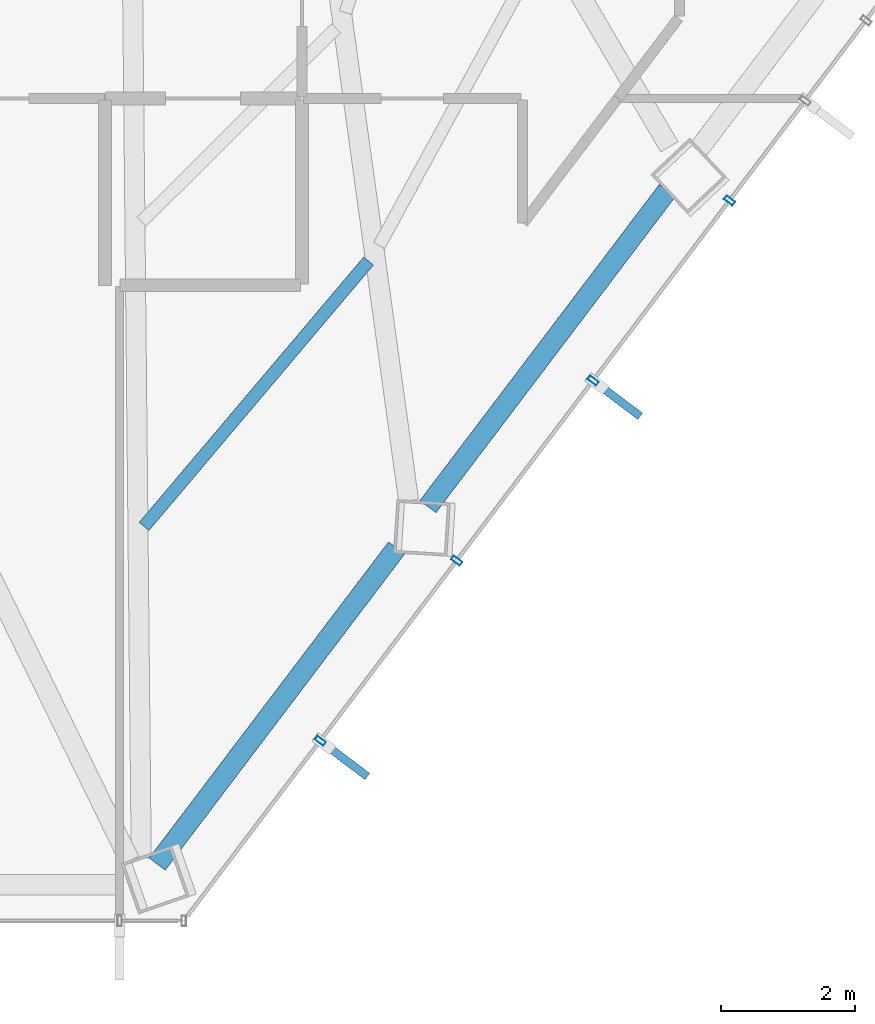
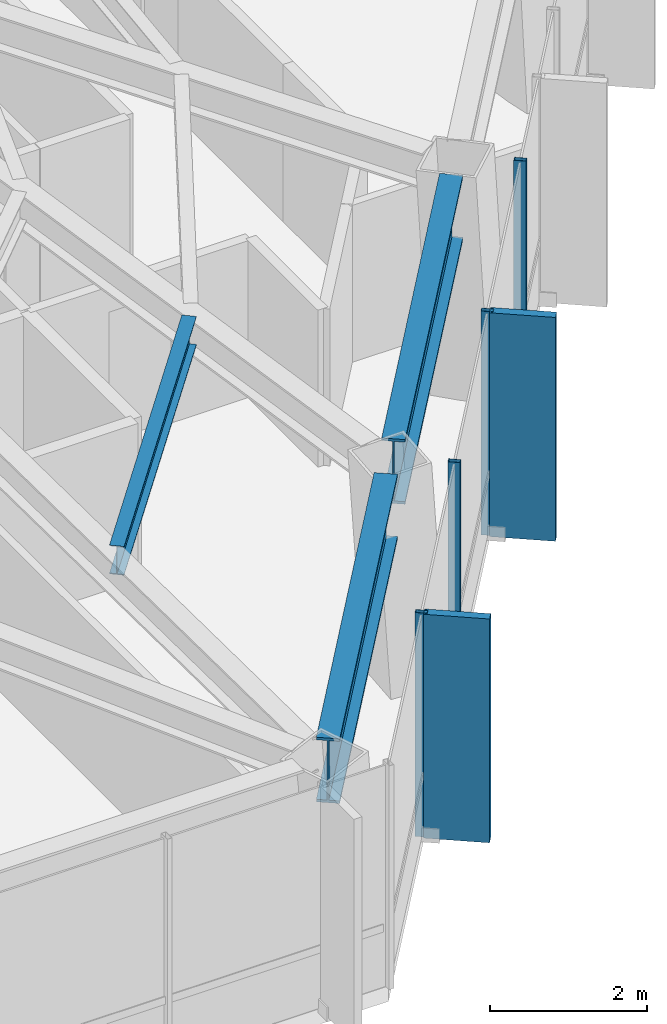
# One storey, part 17 of 28: 6 members, 3 beams, 1 element without a shape of its own.
"""IFC4 building model written with IfcOpenShell, lengths in metres."""

from ifc_helpers import new_model, si_unit, direction, frame, origin, origin_2d, place, context, subcontext, project, spatial, rectangle, hollow_rectangle, i_section, extrude, material, layer, layer_set, material_profile, profile_set, type_object, element, aggregate, save


model = new_model("IFC4")

# Units and contexts
model_context = context("Model", 3, precision=1e-05, world=origin(), true_north=direction((0.0, 1.0)))
body_context = subcontext(model_context, "Body", "Model", "MODEL_VIEW")
ifc_project = project(units=[si_unit("LENGTHUNIT", "METRE"), si_unit("AREAUNIT", "SQUARE_METRE"), si_unit("VOLUMEUNIT", "CUBIC_METRE"), si_unit("PLANEANGLEUNIT", "RADIAN"), si_unit("MASSUNIT", "GRAM", prefix="KILO")], contexts=[model_context])

# Site, building, storey
site_placement = place(None, origin())
site = spatial("IfcSite", under=ifc_project, at=site_placement, CompositionType="ELEMENT")
building_placement = place(site_placement, origin())
building = spatial("IfcBuilding", under=site, at=building_placement, Name="Zarrinselat Tower", CompositionType="ELEMENT")
storey_placement = place(building_placement, frame((0.0, 0.0, 153.340087890625)))
storey = spatial("IfcBuildingStorey", under=building, at=storey_placement, Name="L37", CompositionType="ELEMENT", Elevation=153.340087890625)

# Beams
ifc_material_1 = material(Name="Steel S460M", Category="steel")
ifc_material_profile_1 = material_profile(ifc_material_1, i_section(OverallWidth=0.302001953125, OverallDepth=1.008056640625, WebThickness=0.02099609375, FlangeThickness=0.0400390625, at=origin_2d()), Name="HEM 1000")
ifc_profile_set_1 = profile_set([ifc_material_profile_1], Name="Steel S460M")
beam_type_1 = type_object("IfcBeamType", Name="BM-HEM1000", PredefinedType="BEAM", material=ifc_profile_set_1)
beam_1_placement = place(storey_placement, frame((46.179931640625, 18.6826171875, 2.98583984375), z_axis=(0.603840277942, 0.79710533729, 0.0), x_axis=(-0.79710533729, 0.603840277942, 0.0)))
element("IfcBeam", 1, at=beam_1_placement, inside=storey, type_object=beam_type_1, Name="L37 Perimeter Spandrel Girder SP11", PredefinedType="BEAM", context=body_context, shape_type="SweptSolid", body=[
    extrude(i_section(OverallWidth=0.302001953125, OverallDepth=1.008056640625, WebThickness=0.02099609375, FlangeThickness=0.0400390625, at=origin_2d()), origin(), (0.0, 0.0, 1.0), 5.939697265625),
])
beam_2_placement = place(storey_placement, frame((50.2353515625, 24.035888671875, 2.98583984375), z_axis=(0.603860062149, 0.797090349547, 0.0), x_axis=(-0.797090349547, 0.603860062149, 0.0)))
element("IfcBeam", 2, at=beam_2_placement, inside=storey, type_object=beam_type_1, Name="L37 Perimeter Spandrel Girder SP12", PredefinedType="BEAM", context=body_context, shape_type="SweptSolid", body=[
    extrude(i_section(OverallWidth=0.302001953125, OverallDepth=1.008056640625, WebThickness=0.02099609375, FlangeThickness=0.0400390625, at=origin_2d()), origin(), (0.0, 0.0, 1.0), 5.939453125),
])
ifc_material_2 = material(Name="Steel S355J2", Category="steel")
ifc_material_profile_2 = material_profile(ifc_material_2, i_section(OverallWidth=0.18994140625, OverallDepth=0.449951171875, WebThickness=0.009521484375, FlangeThickness=0.0146484375, at=origin_2d()), Name="IPE 450")
ifc_profile_set_2 = profile_set([ifc_material_profile_2], Name="Steel S355J2")
beam_type_2 = type_object("IfcBeamType", Name="BM-IPE450", PredefinedType="JOIST", material=ifc_profile_set_2)
beam_3_placement = place(storey_placement, frame((45.98388671875, 23.739013671875, 3.264892578125), z_axis=(0.645797229985, 0.763508963761, 0.0), x_axis=(-0.763508963761, 0.645797229985, 0.0)))
element("IfcBeam", 3, at=beam_3_placement, inside=storey, type_object=beam_type_2, Name="L37 Composite Floor Joist 2-1", PredefinedType="JOIST", context=body_context, shape_type="SweptSolid", body=[
    extrude(i_section(OverallWidth=0.18994140625, OverallDepth=0.449951171875, WebThickness=0.009521484375, FlangeThickness=0.0146484375, at=origin_2d()), origin(), (0.0, 0.0, 1.0), 5.2080078125),
])

# Curtain wall, members
ifc_material_3 = material(Name="Extruded Aluminium Alloy EN AW-6063 T6", Category="aluminium")
ifc_layer = layer(ifc_material_3, 0.175048828125)
ifc_layer_set = layer_set([ifc_layer], Name="Extruded Aluminium Alloy EN AW-6063 T6")
curtain_wall_type = type_object("IfcCurtainWallType", Name="CWS-HTL", PredefinedType="NOTDEFINED", material=ifc_layer_set)
curtain_wall_placement = place(storey_placement, origin())
curtain_wall = element("IfcCurtainWall", 4, at=curtain_wall_placement, inside=storey, type_object=curtain_wall_type, Name="L37 Unitised Curtain Wall CW-L37-E05", PredefinedType="NOTDEFINED")
ifc_material_4 = material(Name="Extruded Aluminium Alloy EN AW-6063 T6", Category="aluminium")
ifc_material_profile_3 = material_profile(ifc_material_4, hollow_rectangle(XDim=0.070068359375, YDim=0.159912109375, WallThickness=0.00390625, at=origin_2d()), Name="RHS 160x70x4")
ifc_profile_set_3 = profile_set([ifc_material_profile_3], Name="Extruded Aluminium Alloy EN AW-6063 T6")
member_type_1 = type_object("IfcMemberType", Name="MEM-CW-MUL2", PredefinedType="MULLION", material=ifc_profile_set_3)
member_1_placement = place(storey_placement, frame((48.62353515625, 20.5283203125, 0.0), z_axis=(0.0, 0.0, 1.0), x_axis=(0.603857687995, 0.797092148154, 0.0)))
member_1 = element("IfcMember", 5, at=member_1_placement, type_object=member_type_1, Name="CW-L37-E05 Mullion 1", PredefinedType="MULLION", context=body_context, shape_type="SweptSolid", body=[
    extrude(hollow_rectangle(XDim=0.070068359375, YDim=0.159912109375, WallThickness=0.00390625, at=origin_2d()), origin(), (0.0, 0.0, 1.0), 3.489990234375),
])
member_2_placement = place(storey_placement, frame((50.666748046875, 23.225341796875, 0.0), z_axis=(0.0, 0.0, 1.0), x_axis=(0.603857687995, 0.797092148154, 0.0)))
member_2 = element("IfcMember", 6, at=member_2_placement, type_object=member_type_1, Name="CW-L37-E05 Mullion 2", PredefinedType="MULLION", context=body_context, shape_type="SweptSolid", body=[
    extrude(hollow_rectangle(XDim=0.070068359375, YDim=0.159912109375, WallThickness=0.00390625, at=origin_2d()), origin(), (0.0, 0.0, 1.0), 3.489990234375),
])
member_3_placement = place(storey_placement, frame((52.7099609375, 25.92236328125, 0.0), z_axis=(0.0, 0.0, 1.0), x_axis=(0.603857687995, 0.797092148154, 0.0)))
member_3 = element("IfcMember", 7, at=member_3_placement, type_object=member_type_1, Name="CW-L37-E05 Mullion 3", PredefinedType="MULLION", context=body_context, shape_type="SweptSolid", body=[
    extrude(hollow_rectangle(XDim=0.070068359375, YDim=0.159912109375, WallThickness=0.00390625, at=origin_2d()), origin(), (0.0, 0.0, 1.0), 3.489990234375),
])
member_4_placement = place(storey_placement, frame((54.7529296875, 28.619140625, 0.0), z_axis=(0.0, 0.0, 1.0), x_axis=(0.603857687995, 0.797092148154, 0.0)))
member_4 = element("IfcMember", 8, at=member_4_placement, type_object=member_type_1, Name="CW-L37-E05 Mullion 4", PredefinedType="MULLION", context=body_context, shape_type="SweptSolid", body=[
    extrude(hollow_rectangle(XDim=0.070068359375, YDim=0.159912109375, WallThickness=0.00390625, at=origin_2d()), origin(), (0.0, 0.0, 1.0), 3.489990234375),
])
ifc_material_5 = material(Name="Honed Cream Travertine Stone", Category="masonry")
ifc_material_profile_4 = material_profile(ifc_material_5, rectangle(XDim=0.1201171875, YDim=0.85009765625, at=origin_2d()), Name="FIN 850x120")
ifc_profile_set_4 = profile_set([ifc_material_profile_4], Name="Honed Cream Travertine Stone")
member_type_2 = type_object("IfcMemberType", Name="MEM-STONE-FIN", PredefinedType="USERDEFINED", material=ifc_profile_set_4)
member_5_placement = place(storey_placement, frame((48.990234375, 20.25048828125, 0.0), z_axis=(0.0, 0.0, 1.0), x_axis=(-0.603857687995, -0.797092148154, 0.0)))
member_5 = element("IfcMember", 9, at=member_5_placement, type_object=member_type_2, Name="L37 Stone Shading Fin CW-L37-E05-01", ObjectType="FIN", PredefinedType="USERDEFINED", context=body_context, shape_type="SweptSolid", body=[
    extrude(rectangle(XDim=0.1201171875, YDim=0.85009765625, at=origin_2d()), origin(), (0.0, 0.0, 1.0), 3.489990234375),
])
member_6_placement = place(storey_placement, frame((53.07666015625, 25.64453125, 0.0), z_axis=(0.0, 0.0, 1.0), x_axis=(-0.603857687995, -0.797092148154, 0.0)))
member_6 = element("IfcMember", 10, at=member_6_placement, type_object=member_type_2, Name="L37 Stone Shading Fin CW-L37-E05-03", ObjectType="FIN", PredefinedType="USERDEFINED", context=body_context, shape_type="SweptSolid", body=[
    extrude(rectangle(XDim=0.1201171875, YDim=0.85009765625, at=origin_2d()), origin(), (0.0, 0.0, 1.0), 3.489990234375),
])
aggregate(curtain_wall, [member_1, member_5, member_2, member_3, member_6, member_4])

save(model, "model.ifc")
